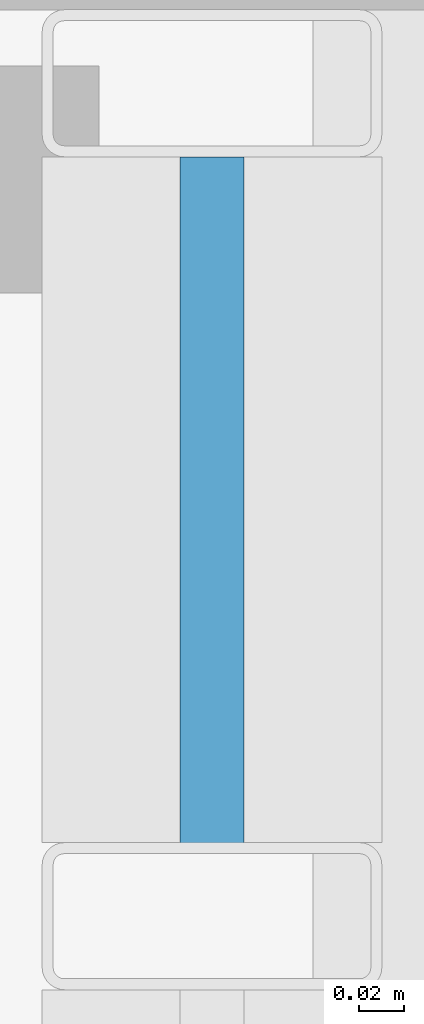
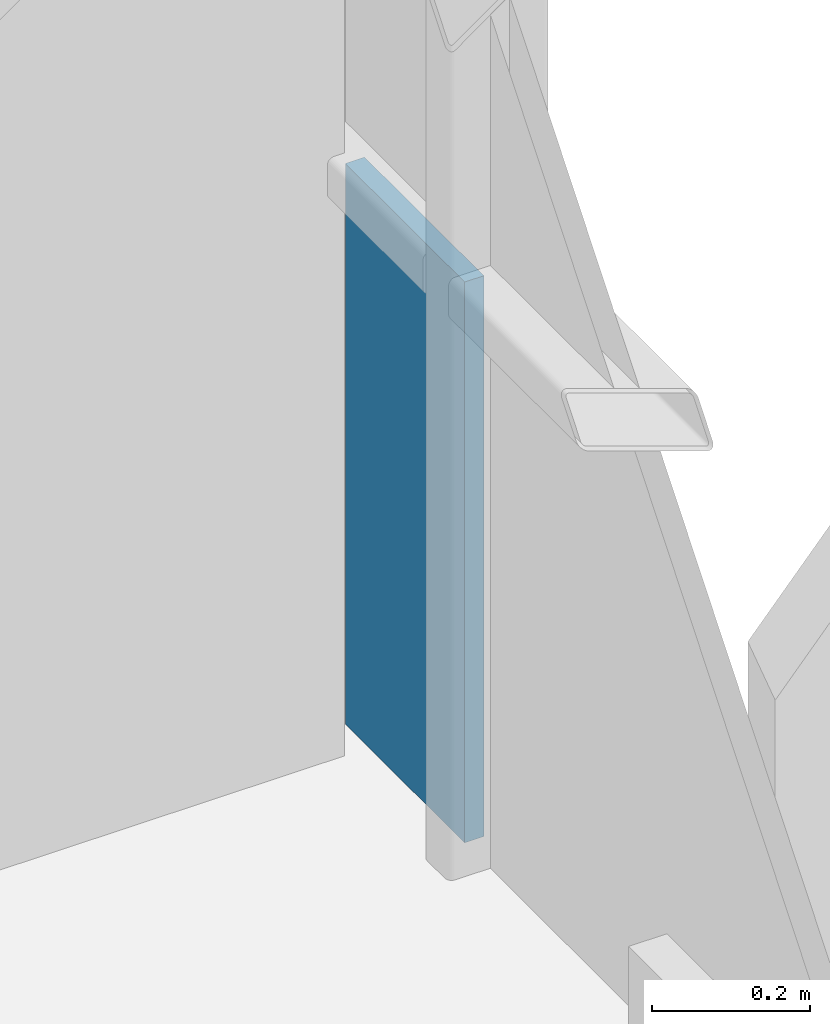
# One storey, part 26 of 39: 1 plate, 1 element without a shape of its own.
"""IFC4 building model written with IfcOpenShell, lengths in metres."""

from ifc_helpers import new_model, si_unit, direction, frame, origin, origin_2d, place, context, subcontext, project, spatial, rectangle, extrude, material, layer, layer_set, type_object, element, aggregate, save


model = new_model("IFC4")

# Units and contexts
model_context = context("Model", 3, precision=1e-05, world=origin(), true_north=direction((0.0, 1.0)))
body_context = subcontext(model_context, "Body", "Model", "MODEL_VIEW")
ifc_project = project(units=[si_unit("LENGTHUNIT", "METRE"), si_unit("AREAUNIT", "SQUARE_METRE"), si_unit("VOLUMEUNIT", "CUBIC_METRE"), si_unit("PLANEANGLEUNIT", "RADIAN"), si_unit("MASSUNIT", "GRAM", prefix="KILO")], contexts=[model_context])

# Site, building, storey
site_placement = place(None, origin())
site = spatial("IfcSite", under=ifc_project, at=site_placement, CompositionType="ELEMENT")
building_placement = place(site_placement, origin())
building = spatial("IfcBuilding", under=site, at=building_placement, Name="Brevholm Reach", CompositionType="ELEMENT")
storey_placement = place(building_placement, frame((0.0, 0.0, 40.39990234375)))
storey = spatial("IfcBuildingStorey", under=building, at=storey_placement, Name="L10", CompositionType="ELEMENT", Elevation=40.39990234375)

# Curtain wall, plate
ifc_material_1 = material(Name="Dark Anodised Aluminium 6063-T6 and Solar-Control Glass", Category="aluminium")
ifc_layer_1 = layer(ifc_material_1, 0.14990234375)
ifc_layer_set_1 = layer_set([ifc_layer_1], Name="Dark Anodised Aluminium 6063-T6 and Solar-Control Glass")
curtain_wall_type = type_object("IfcCurtainWallType", Name="CW-01", PredefinedType="NOTDEFINED", material=ifc_layer_set_1)
curtain_wall_placement = place(storey_placement, origin())
curtain_wall = element("IfcCurtainWall", 1, at=curtain_wall_placement, inside=storey, type_object=curtain_wall_type, Name="L10 Curtain Wall CW-01", PredefinedType="NOTDEFINED")
ifc_material_2 = material(Name="Dark Solar-Control Double-Glazed IGU Glass", Category="glass")
ifc_layer_2 = layer(ifc_material_2, 0.028076171875)
ifc_layer_set_2 = layer_set([ifc_layer_2], Name="Dark Solar-Control Double-Glazed IGU Glass")
plate_type = type_object("IfcPlateType", Name="CWP-GLZ-28", PredefinedType="CURTAIN_PANEL", material=ifc_layer_set_2)
plate_placement = place(storey_placement, frame((59.85009765625, 22.733642578125, 0.0), z_axis=(0.0, 0.0, 1.0), x_axis=(0.0, 1.0, 0.0)))
plate = element("IfcPlate", 2, at=plate_placement, type_object=plate_type, Name="CP-01 Glazing Panel 5.1", PredefinedType="CURTAIN_PANEL", context=body_context, shape_type="SweptSolid", body=[
    extrude(rectangle(XDim=0.302490234375, YDim=0.028076171875, at=origin_2d()), origin(), (0.0, 0.0, 1.0), 0.867431640625),
])
aggregate(curtain_wall, [plate])

save(model, "model.ifc")
